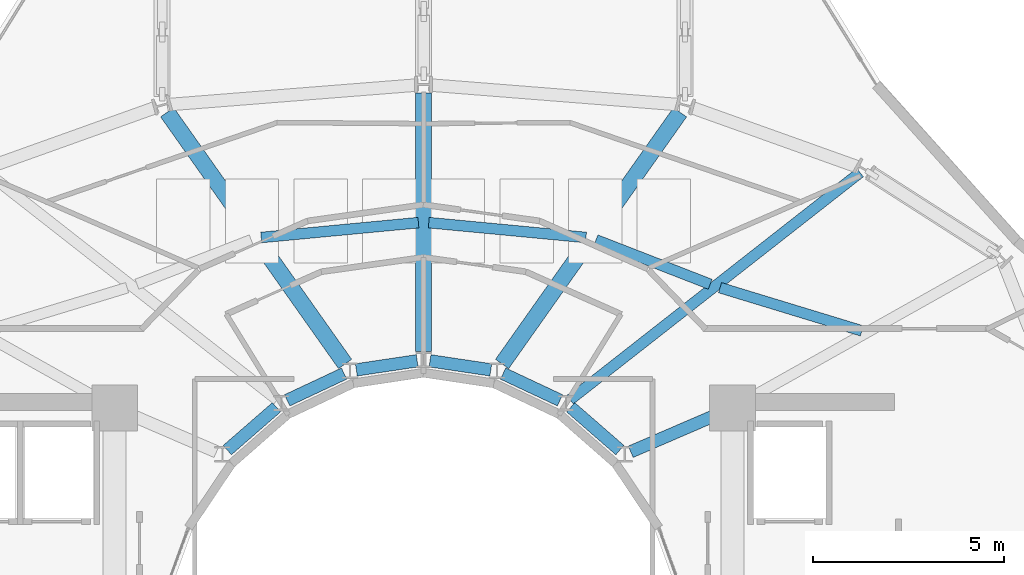
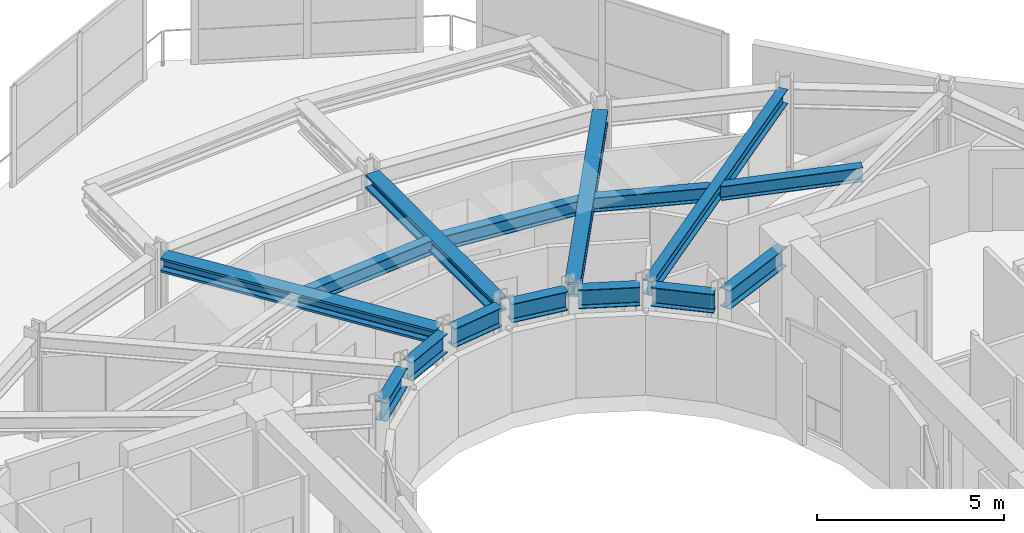
# One storey, part 10 of 25: 15 beams.
"""IFC4 building model written with IfcOpenShell, lengths in metres."""

import ifcopenshell
import ifcopenshell.guid

model = None  # the IFC model being written
_history = None  # IfcOwnerHistory: only IFC2X3 demands one
_inside = {}  # id of a spatial element -> (the spatial element, [elements in it])
_under = {}  # id of a project, library or spatial element -> (it, [spatial elements below it])
_declared = {}  # id of a project -> (the project, [libraries it declares])
_typed = {}  # id of a type object -> (the type object, [elements of that type])
_made_of = {}  # id of a material, layer set ... -> (it, [elements and type objects made of it])


def new_model(schema):
    """Start an empty IFC model of exactly this schema.

    Asked for "IFC4X3", IfcOpenShell would pick the latest addendum, in which some entities
    have other attributes; the version numbers below select the first issue.
    IFC2X3 requires an IfcOwnerHistory on every rooted entity: one is made here for all.
    """
    global model, _history
    if schema == "IFC4X3":
        model = ifcopenshell.file(schema_version=(4, 3, 0, 0))
    else:
        model = ifcopenshell.file(schema=schema)
    _inside.clear()
    _under.clear()
    _declared.clear()
    _typed.clear()
    _made_of.clear()
    _history = None
    if model.schema == "IFC2X3":
        org = make("IfcOrganization", Name="unknown")
        user = make(
            "IfcPersonAndOrganization",
            ThePerson=make("IfcPerson", FamilyName="unknown"),
            TheOrganization=org,
        )
        app = make(
            "IfcApplication",
            ApplicationDeveloper=org,
            Version="unknown",
            ApplicationFullName="unknown",
            ApplicationIdentifier="unknown",
        )
        _history = make(
            "IfcOwnerHistory",
            OwningUser=user,
            OwningApplication=app,
            ChangeAction="ADDED",
            CreationDate=0,
        )
    return model


def make(cls, **values):
    """One entity of the class cls with the attributes given. An attribute that is None is left unset."""
    return model.create_entity(
        cls, **{name: value for name, value in values.items() if value is not None}
    )


def rooted(cls, **values):
    """An entity with a GlobalId (a new one), such as an element, a storey or a relation."""
    return make(cls, GlobalId=ifcopenshell.guid.new(), OwnerHistory=_history, **values)


def si_unit(unit_type, name, prefix=None):
    """IfcSIUnit, for example si_unit("LENGTHUNIT", "METRE", prefix="MILLI")."""
    return make("IfcSIUnit", UnitType=unit_type, Prefix=prefix, Name=name)


def assignment(units):
    """IfcUnitAssignment: the units of a project."""
    return None if units is None else make("IfcUnitAssignment", Units=units)


def point(xyz):
    """IfcCartesianPoint."""
    return None if xyz is None else make("IfcCartesianPoint", Coordinates=xyz)


def direction(xyz):
    """IfcDirection."""
    return None if xyz is None else make("IfcDirection", DirectionRatios=xyz)


def frame(location, z_axis=None, x_axis=None):
    """IfcAxis2Placement3D, a coordinate frame: its origin and axes. An axis left out is left unset."""
    return make(
        "IfcAxis2Placement3D",
        Location=point(location),
        Axis=direction(z_axis),
        RefDirection=direction(x_axis),
    )


def frame_2d(location, x_axis=None):
    """IfcAxis2Placement2D, a coordinate frame in the plane: its origin and x axis."""
    return make(
        "IfcAxis2Placement2D", Location=point(location), RefDirection=direction(x_axis)
    )


def origin():
    """The frame at (0, 0, 0) with its axes left unset."""
    return frame((0.0, 0.0, 0.0))


def origin_2d():
    """The frame at (0, 0) in the plane with its x axis left unset."""
    return frame_2d((0.0, 0.0))


def place(relative_to, where):
    """IfcLocalPlacement: puts the frame where relative to a parent placement (None: the world)."""
    return make(
        "IfcLocalPlacement", PlacementRelTo=relative_to, RelativePlacement=where
    )


def context(
    kind, dimensions, precision=None, world=None, true_north=None, identifier=None
):
    """IfcGeometricRepresentationContext, for example the 3D "Model" context."""
    return make(
        "IfcGeometricRepresentationContext",
        ContextIdentifier=identifier,
        ContextType=kind,
        CoordinateSpaceDimension=dimensions,
        Precision=precision,
        WorldCoordinateSystem=world,
        TrueNorth=true_north,
    )


def subcontext(parent, identifier, kind, view, scale=None):
    """IfcGeometricRepresentationSubContext, for example "Body" below "Model"."""
    return make(
        "IfcGeometricRepresentationSubContext",
        ContextIdentifier=identifier,
        ContextType=kind,
        ParentContext=parent,
        TargetScale=scale,
        TargetView=view,
    )


def project(units=None, contexts=None):
    """IfcProject with its units and contexts."""
    return rooted(
        "IfcProject",
        Name="project",
        RepresentationContexts=contexts,
        UnitsInContext=assignment(units),
    )


def spatial(cls, under=None, at=None, **own):
    """A site, building, storey or space (cls), placed at a placement, below another one or the project."""
    s = rooted(cls, ObjectPlacement=at, **own)
    if under is not None:
        _under.setdefault(under.id(), (under, []))[1].append(s)
    return s


def profile(cls, at=None, kind="AREA", **sizes):
    """A parametric profile (cls). Its sizes go by their IFC names, for example OverallWidth=200.0."""
    return make(cls, ProfileType=kind, Position=at, **sizes)


def i_section(**sizes):
    """IfcIShapeProfileDef."""
    return profile("IfcIShapeProfileDef", **sizes)


def extrude(swept, where, along, depth):
    """IfcExtrudedAreaSolid: the profile swept, set in the frame where, extruded along a direction by depth."""
    return make(
        "IfcExtrudedAreaSolid",
        SweptArea=swept,
        Position=where,
        ExtrudedDirection=direction(along),
        Depth=depth,
    )


def shape(context_of_items, identifier, shape_type, items):
    """IfcShapeRepresentation: the items that make up one representation, for example the "Body"."""
    return make(
        "IfcShapeRepresentation",
        ContextOfItems=context_of_items,
        RepresentationIdentifier=identifier,
        RepresentationType=shape_type,
        Items=items,
    )


def material(Name=None, Category=None):
    """IfcMaterial."""
    return make("IfcMaterial", Name=Name, Category=Category)


def material_profile(
    of_material, cross_section, Name=None, Category=None, Priority=None
):
    """IfcMaterialProfile: a cross section and its material."""
    return make(
        "IfcMaterialProfile",
        Name=Name,
        Material=of_material,
        Profile=cross_section,
        Priority=Priority,
        Category=Category,
    )


def profile_set(profiles, Name=None, composite=None):
    """IfcMaterialProfileSet."""
    return make(
        "IfcMaterialProfileSet",
        Name=Name,
        MaterialProfiles=profiles,
        CompositeProfile=composite,
    )


def made_of(thing, what):
    """Note that an element or type object is made of a material, layer set ...; save() writes the relation."""
    if what is not None:
        _made_of.setdefault(what.id(), (what, []))[1].append(thing)
    return thing


def type_object(cls, material=None, **own):
    """A type object (cls), such as IfcWallType, which elements share."""
    return made_of(rooted(cls, **own), material)


def element(
    cls,
    number,
    at=None,
    inside=None,
    cuts=None,
    type_object=None,
    material=None,
    context=None,
    identifier="Body",
    shape_type=None,
    held_by="IfcProductDefinitionShape",
    body=None,
    shapes=None,
    **own,
):
    """One element of the class cls, such as IfcWall. Its Tag is "e" and its number.

    at: its placement. inside: the storey or other place that contains it. cuts: it is an
    opening in that element (IfcRelVoidsElement). A single representation is given by context,
    identifier, shape_type and body (its items); several are given by shapes. held_by: the class
    of the entity that holds the representations. save() writes the other relations.
    """
    e = rooted(cls, Tag="e%d" % number, ObjectPlacement=at, **own)
    if body is not None:
        shapes = [shape(context, identifier, shape_type, body)]
    if shapes is not None:
        e.Representation = make(held_by, Representations=shapes)
    if inside is not None:
        _inside.setdefault(inside.id(), (inside, []))[1].append(e)
    if cuts is not None:
        rooted(
            "IfcRelVoidsElement", RelatingBuildingElement=cuts, RelatedOpeningElement=e
        )
    if type_object is not None:
        _typed.setdefault(type_object.id(), (type_object, []))[1].append(e)
    return made_of(e, material)


def aggregate(whole, parts):
    """IfcRelAggregates: a whole, such as a stair, and the parts it consists of."""
    return rooted("IfcRelAggregates", RelatingObject=whole, RelatedObjects=parts)


def save(model, path):
    """Write the relations noted so far, then the file.

    IfcRelAggregates (storeys below a building ...), IfcRelContainedInSpatialStructure (elements
    in a storey), IfcRelDefinesByType, IfcRelAssociatesMaterial and IfcRelDeclares: one each for
    every whole, place, type object, material and project.
    """
    for whole, parts in _under.values():
        aggregate(whole, parts)
    for where, things in _inside.values():
        rooted(
            "IfcRelContainedInSpatialStructure",
            RelatedElements=things,
            RelatingStructure=where,
        )
    for kind, things in _typed.values():
        rooted("IfcRelDefinesByType", RelatedObjects=things, RelatingType=kind)
    for what, things in _made_of.values():
        rooted("IfcRelAssociatesMaterial", RelatedObjects=things, RelatingMaterial=what)
    for by, libraries in _declared.values():
        rooted("IfcRelDeclares", RelatingContext=by, RelatedDefinitions=libraries)
    model.write(path)


model = new_model("IFC4")

# Units and contexts
model_context = context("Model", 3, precision=1e-05, world=origin(), true_north=direction((0.0, 1.0)))
body_context = subcontext(model_context, "Body", "Model", "MODEL_VIEW")
ifc_project = project(units=[si_unit("LENGTHUNIT", "METRE"), si_unit("AREAUNIT", "SQUARE_METRE"), si_unit("VOLUMEUNIT", "CUBIC_METRE"), si_unit("PLANEANGLEUNIT", "RADIAN"), si_unit("MASSUNIT", "GRAM", prefix="KILO")], contexts=[model_context])

# Site, building, storey
site_placement = place(None, origin())
site = spatial("IfcSite", under=ifc_project, at=site_placement, CompositionType="ELEMENT")
building_placement = place(site_placement, origin())
building = spatial("IfcBuilding", under=site, at=building_placement, Name="Solvane Sanctuary Tower", CompositionType="ELEMENT")
storey_placement = place(building_placement, frame((0.0, 0.0, 238.800048828125)))
storey = spatial("IfcBuildingStorey", under=building, at=storey_placement, Name="L73", CompositionType="ELEMENT", Elevation=238.800048828125)

# Beams
ifc_material_1 = material(Name="Steel ASTM A913 Grade 65", Category="steel")
ifc_material_profile_1 = material_profile(ifc_material_1, i_section(OverallWidth=0.422119140625, OverallDepth=0.465087890625, WebThickness=0.044921875, FlangeThickness=0.072509765625, FilletRadius=0.02490234375, at=origin_2d()), Name="W14X398")
ifc_profile_set_1 = profile_set([ifc_material_profile_1], Name="Steel ASTM A913 Grade 65")
beam_type_1 = type_object("IfcBeamType", Name="Beam B-CANT-CH W14X398", PredefinedType="BEAM", material=ifc_profile_set_1)
beam_1_placement = place(storey_placement, frame((29.942138671875, 31.351318359375, 3.08544921875), z_axis=(-0.577262901024, 0.816558352539, 0.0), x_axis=(-0.816558352539, -0.577262901024, 0.0)))
element("IfcBeam", 1, at=beam_1_placement, inside=storey, type_object=beam_type_1, Name="L73 Sky-Dining Truss Backspan Chord C05", PredefinedType="BEAM", context=body_context, shape_type="SweptSolid", body=[
    extrude(i_section(OverallWidth=0.422119140625, OverallDepth=0.465087890625, WebThickness=0.044921875, FlangeThickness=0.072509765625, FilletRadius=0.02490234375, at=origin_2d()), origin(), (0.0, 0.0, 1.0), 8.08349609375),
])
beam_2_placement = place(storey_placement, frame((32.0, 31.679931640625, 3.08544921875), z_axis=(0.0, 1.0, 0.0), x_axis=(-1.0, 0.0, 0.0)))
element("IfcBeam", 2, at=beam_2_placement, inside=storey, type_object=beam_type_1, Name="L73 Sky-Dining Truss Backspan Chord C04", PredefinedType="BEAM", context=body_context, shape_type="SweptSolid", body=[
    extrude(i_section(OverallWidth=0.422119140625, OverallDepth=0.465087890625, WebThickness=0.044921875, FlangeThickness=0.072509765625, FilletRadius=0.02490234375, at=origin_2d()), origin(), (0.0, 0.0, 1.0), 6.779052734375),
])
beam_3_placement = place(storey_placement, frame((34.057861328125, 31.351318359375, 3.08544921875), z_axis=(0.577262901024, 0.816558352539, 0.0), x_axis=(-0.816558352539, 0.577262901024, 0.0)))
element("IfcBeam", 3, at=beam_3_placement, inside=storey, type_object=beam_type_1, Name="L73 Sky-Dining Truss Backspan Chord C03", PredefinedType="BEAM", context=body_context, shape_type="SweptSolid", body=[
    extrude(i_section(OverallWidth=0.422119140625, OverallDepth=0.465087890625, WebThickness=0.044921875, FlangeThickness=0.072509765625, FilletRadius=0.02490234375, at=origin_2d()), origin(), (0.0, 0.0, 1.0), 8.08349609375),
])
ifc_material_2 = material(Name="Steel ASTM A992 Grade 50", Category="steel")
ifc_material_profile_2 = material_profile(ifc_material_2, i_section(OverallWidth=0.282958984375, OverallDepth=0.471923828125, WebThickness=0.013671875, FlangeThickness=0.022216796875, FilletRadius=0.013916015625, at=origin_2d()), Name="W18X97")
ifc_profile_set_2 = profile_set([ifc_material_profile_2], Name="Steel ASTM A992 Grade 50")
beam_type_2 = type_object("IfcBeamType", Name="Beam B-RAD-Z4 W18X97", PredefinedType="JOIST", material=ifc_profile_set_2)
beam_4_placement = place(storey_placement, frame((35.840087890625, 30.412841796875, 3.08203125), z_axis=(0.787179592087, 0.616723835927, 0.0), x_axis=(-0.616723835927, 0.787179592087, 0.0)))
element("IfcBeam", 4, at=beam_4_placement, inside=storey, type_object=beam_type_2, Name="L73 Radial Composite Floor Beam 02", PredefinedType="JOIST", context=body_context, shape_type="SweptSolid", body=[
    extrude(i_section(OverallWidth=0.282958984375, OverallDepth=0.471923828125, WebThickness=0.013671875, FlangeThickness=0.022216796875, FilletRadius=0.013916015625, at=origin_2d()), origin(), (0.0, 0.0, 1.0), 9.66064453125),
])
ifc_material_profile_3 = material_profile(ifc_material_2, i_section(OverallWidth=0.324951171875, OverallDepth=0.615966796875, WebThickness=0.013916015625, FlangeThickness=0.021484375, FilletRadius=0.01611328125, at=origin_2d()), Name="W24X117")
ifc_profile_set_3 = profile_set([ifc_material_profile_3], Name="Steel ASTM A992 Grade 50")
beam_type_3 = type_object("IfcBeamType", Name="Beam B-RING-IN2 W24X117", PredefinedType="BEAM", material=ifc_profile_set_3)
beam_5_placement = place(storey_placement, frame((26.853271484375, 29.09375, 3.010009765625), z_axis=(0.754362388825, 0.656458213694, 0.0), x_axis=(-0.656458213694, 0.754362388825, 0.0)))
element("IfcBeam", 5, at=beam_5_placement, inside=storey, type_object=beam_type_3, Name="L73 Inner Light-Well Ring Beam IC07-IC06", PredefinedType="BEAM", context=body_context, shape_type="SweptSolid", body=[
    extrude(i_section(OverallWidth=0.324951171875, OverallDepth=0.615966796875, WebThickness=0.013916015625, FlangeThickness=0.021484375, FilletRadius=0.01611328125, at=origin_2d()), origin(), (0.0, 0.0, 1.0), 1.708251953125),
])
beam_6_placement = place(storey_placement, frame((28.423828125, 30.39892578125, 3.010009765625), z_axis=(0.905150857291, 0.425090491008, 0.0), x_axis=(-0.425090491008, 0.905150857291, 0.0)))
element("IfcBeam", 6, at=beam_6_placement, inside=storey, type_object=beam_type_3, Name="L73 Inner Light-Well Ring Beam IC06-IC05", PredefinedType="BEAM", context=body_context, shape_type="SweptSolid", body=[
    extrude(i_section(OverallWidth=0.324951171875, OverallDepth=0.615966796875, WebThickness=0.013916015625, FlangeThickness=0.021484375, FilletRadius=0.01611328125, at=origin_2d()), origin(), (0.0, 0.0, 1.0), 1.647705078125),
])
for number, where, z_axis, x_axis, name in (
    (7, (30.2373046875, 31.19677734375, 3.010009765625), (0.989039416515, 0.147651727316, 0.0), (-0.147651727316, 0.989039416515, 0.0), "L73 Inner Light-Well Ring Beam IC05-IC04"),
    (8, (32.168212890625, 31.434814453125, 3.010009765625), (0.989039416515, -0.147651727316, 0.0), (0.147651727316, 0.989039416515, 0.0), "L73 Inner Light-Well Ring Beam IC04-IC03"),
):
    element("IfcBeam", number, at=place(storey_placement, frame(where, z_axis=z_axis, x_axis=x_axis)), inside=storey, type_object=beam_type_3, Name=name, PredefinedType="BEAM", context=body_context, shape_type="SweptSolid", body=[
        extrude(i_section(OverallWidth=0.324951171875, OverallDepth=0.615966796875, WebThickness=0.013916015625, FlangeThickness=0.021484375, FilletRadius=0.01611328125, at=origin_2d()), origin(), (0.0, 0.0, 1.0), 1.612060546875),
    ])
beam_7_placement = place(storey_placement, frame((34.084716796875, 31.099365234375, 3.010009765625), z_axis=(0.905150857291, -0.425090491008, 0.0), x_axis=(0.425090491008, 0.905150857291, 0.0)))
element("IfcBeam", 9, at=beam_7_placement, inside=storey, type_object=beam_type_3, Name="L73 Inner Light-Well Ring Beam IC03-IC02", PredefinedType="BEAM", context=body_context, shape_type="SweptSolid", body=[
    extrude(i_section(OverallWidth=0.324951171875, OverallDepth=0.615966796875, WebThickness=0.013916015625, FlangeThickness=0.021484375, FilletRadius=0.01611328125, at=origin_2d()), origin(), (0.0, 0.0, 1.0), 1.647705078125),
])
beam_8_placement = place(storey_placement, frame((35.858154296875, 30.215087890625, 3.010009765625), z_axis=(0.754362388825, -0.656458213694, 0.0), x_axis=(0.656458213694, 0.754362388825, 0.0)))
element("IfcBeam", 10, at=beam_8_placement, inside=storey, type_object=beam_type_3, Name="L73 Inner Light-Well Ring Beam IC02-IC01", PredefinedType="BEAM", context=body_context, shape_type="SweptSolid", body=[
    extrude(i_section(OverallWidth=0.324951171875, OverallDepth=0.615966796875, WebThickness=0.013916015625, FlangeThickness=0.021484375, FilletRadius=0.01611328125, at=origin_2d()), origin(), (0.0, 0.0, 1.0), 1.708251953125),
])
beam_9_placement = place(storey_placement, frame((37.43115234375, 29.04931640625, 3.010009765625), z_axis=(0.918254967668, 0.395989664453, 0.0), x_axis=(-0.395989664453, 0.918254967668, 0.0)))
element("IfcBeam", 11, at=beam_9_placement, inside=storey, type_object=beam_type_3, Name="L73 Inner Light-Well Ring Beam IC01-CE4", PredefinedType="BEAM", context=body_context, shape_type="SweptSolid", body=[
    extrude(i_section(OverallWidth=0.324951171875, OverallDepth=0.615966796875, WebThickness=0.013916015625, FlangeThickness=0.021484375, FilletRadius=0.01611328125, at=origin_2d()), origin(), (0.0, 0.0, 1.0), 2.54638671875),
])
ifc_material_profile_4 = material_profile(ifc_material_2, i_section(OverallWidth=0.280029296875, OverallDepth=0.462890625, WebThickness=0.0107421875, FlangeThickness=0.017333984375, FilletRadius=0.013916015625, at=origin_2d()), Name="W18X76")
ifc_profile_set_4 = profile_set([ifc_material_profile_4], Name="Steel ASTM A992 Grade 50")
beam_type_4 = type_object("IfcBeamType", Name="Beam B-SEC-JOIST W18X76", PredefinedType="JOIST", material=ifc_profile_set_4)
for number, where, z_axis, x_axis, name in (
    (12, (27.742431640625, 34.667724609375, 3.08642578125), (0.995566487685, 0.094060451834, 0.0), (-0.094060451834, 0.995566487685, 0.0), "L73 Secondary Circumferential Joist 05-04"),
    (13, (32.135986328125, 35.05712890625, 3.08642578125), (0.995566487685, -0.094060451834, 0.0), (0.094060451834, 0.995566487685, 0.0), "L73 Secondary Circumferential Joist 04-03"),
):
    element("IfcBeam", number, at=place(storey_placement, frame(where, z_axis=z_axis, x_axis=x_axis)), inside=storey, type_object=beam_type_4, Name=name, PredefinedType="JOIST", context=body_context, shape_type="SweptSolid", body=[
        extrude(i_section(OverallWidth=0.280029296875, OverallDepth=0.462890625, WebThickness=0.0107421875, FlangeThickness=0.017333984375, FilletRadius=0.013916015625, at=origin_2d()), origin(), (0.0, 0.0, 1.0), 4.139892578125),
    ])
beam_10_placement = place(storey_placement, frame((36.520751953125, 34.60546875, 3.08642578125), z_axis=(0.93205885038, -0.362306913306, 0.0), x_axis=(0.362306913306, 0.93205885038, 0.0)))
element("IfcBeam", 14, at=beam_10_placement, inside=storey, type_object=beam_type_4, Name="L73 Secondary Circumferential Joist 03-02", PredefinedType="JOIST", context=body_context, shape_type="SweptSolid", body=[
    extrude(i_section(OverallWidth=0.280029296875, OverallDepth=0.462890625, WebThickness=0.0107421875, FlangeThickness=0.017333984375, FilletRadius=0.013916015625, at=origin_2d()), origin(), (0.0, 0.0, 1.0), 3.212890625),
])
beam_11_placement = place(storey_placement, frame((39.773193359375, 33.35205078125, 3.08642578125), z_axis=(0.95661833979, -0.291344044005, 0.0), x_axis=(0.291344044005, 0.95661833979, 0.0)))
element("IfcBeam", 15, at=beam_11_placement, inside=storey, type_object=beam_type_4, Name="L73 Secondary Circumferential Joist 02-01", PredefinedType="JOIST", context=body_context, shape_type="SweptSolid", body=[
    extrude(i_section(OverallWidth=0.280029296875, OverallDepth=0.462890625, WebThickness=0.0107421875, FlangeThickness=0.017333984375, FilletRadius=0.013916015625, at=origin_2d()), origin(), (0.0, 0.0, 1.0), 3.887451171875),
])

save(model, "model.ifc")
